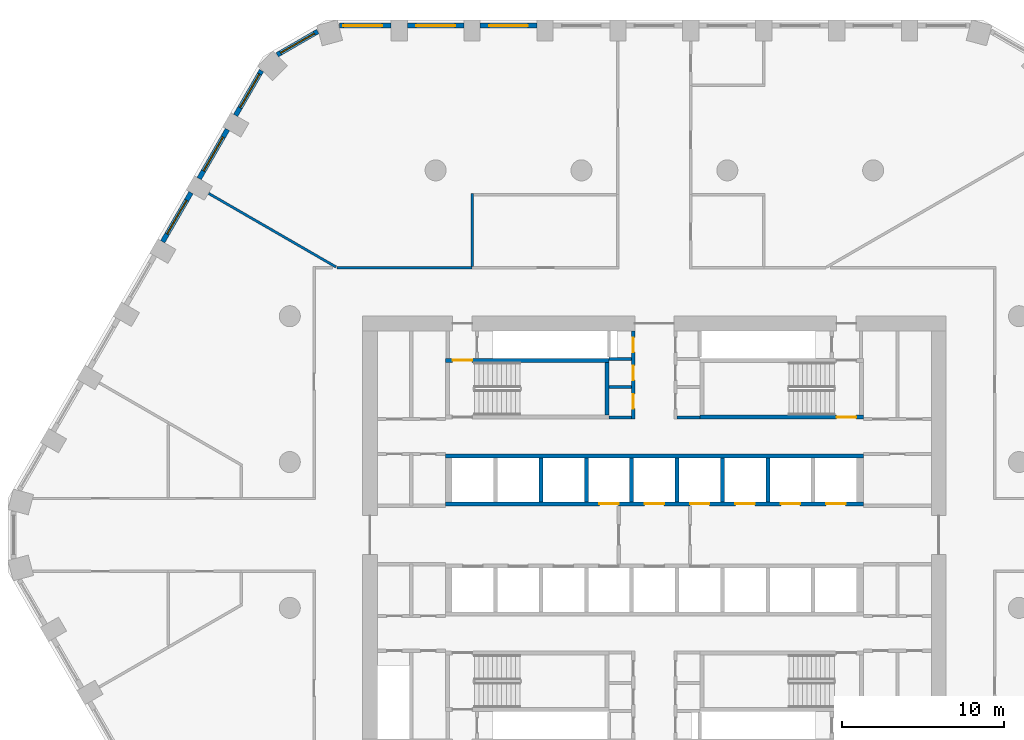
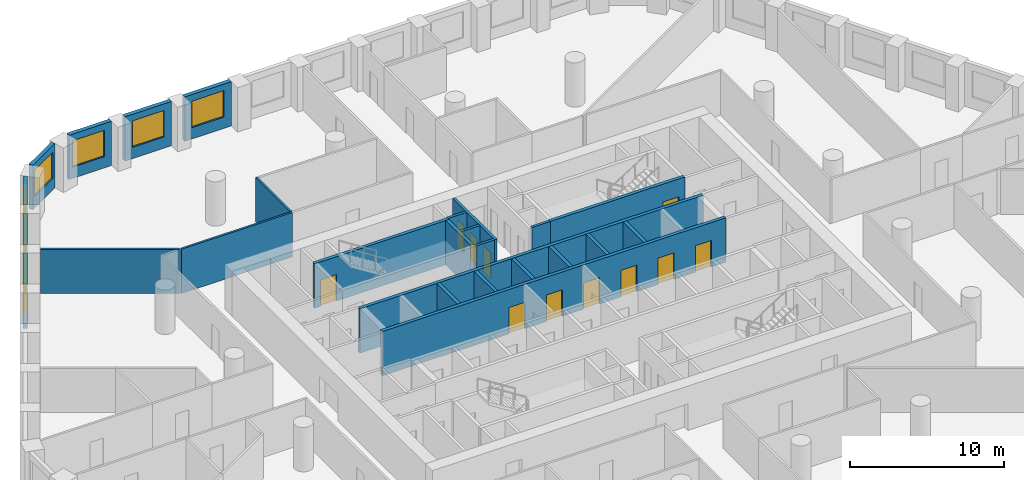
# One storey, part 6 of 10: 26 walls, 11 doors, 7 windows, 18 openings.
"""IFC4 building model written with IfcOpenShell, lengths in metres."""

from ifc_helpers import new_model, si_unit, direction, frame, frame_2d, origin, place, context, subcontext, project, spatial, polyline, rectangle, outline, extrude, material, layer, layer_set, type_object, element, fill, save


model = new_model("IFC4")

# Units and contexts
model_context = context("Model", 3, precision=1e-05, world=origin(), true_north=direction((0.0, 1.0)))
body_context = subcontext(model_context, "Body", "Model", "MODEL_VIEW")
ifc_project = project(units=[si_unit("LENGTHUNIT", "METRE"), si_unit("AREAUNIT", "SQUARE_METRE"), si_unit("VOLUMEUNIT", "CUBIC_METRE"), si_unit("PLANEANGLEUNIT", "RADIAN"), si_unit("MASSUNIT", "GRAM", prefix="KILO")], contexts=[model_context])

# Site, building, storey
site_placement = place(None, origin())
site = spatial("IfcSite", under=ifc_project, at=site_placement, CompositionType="ELEMENT")
building_placement = place(site_placement, origin())
building = spatial("IfcBuilding", under=site, at=building_placement, Name="Dhurran Vertical Campus", CompositionType="ELEMENT")
storey_placement = place(building_placement, frame((0.0, 0.0, 112.5)))
storey = spatial("IfcBuildingStorey", under=building, at=storey_placement, Name="L27", CompositionType="ELEMENT", Elevation=112.5)

# Wall, opening, window
ifc_material_1 = material(Name="Precast concrete C50/60", Category="concrete")
ifc_layer_1 = layer(ifc_material_1, 0.300048828125)
ifc_layer_set_1 = layer_set([ifc_layer_1], Name="Precast concrete C50/60")
wall_type_1 = type_object("IfcWallType", Name="Precast spandrel wall 300", PredefinedType="SOLIDWALL", material=ifc_layer_set_1)
wall_1_placement = place(storey_placement, frame((-7.25048828125, 31.4296875, 0.0), z_axis=(0.0, 0.0, 1.0), x_axis=(-1.0, 0.0, 0.0)))
wall_1 = element("IfcWall", 1, at=wall_1_placement, inside=storey, type_object=wall_type_1, Name="EW1 L27.32", PredefinedType="SOLIDWALL", context=body_context, shape_type="SweptSolid", body=[
    extrude(rectangle(XDim=3.4990234375, YDim=0.300048828125, at=frame_2d((1.74951171875, 0.0))), origin(), (0.0, 0.0, 1.0), 3.52490234375),
])
opening_1_placement = place(wall_1_placement, frame((0.549560546875, 0.0, 0.89990234375)))
opening_1 = element("IfcOpeningElement", 2, at=opening_1_placement, cuts=wall_1, Name="Opening WT1", PredefinedType="OPENING", context=body_context, shape_type="SweptSolid", body=[
    extrude(rectangle(XDim=2.39990234375, YDim=2.10009765625, at=frame_2d((1.199951171875, 1.050048828125))), frame((0.0, 0.159912109375, 0.0), z_axis=(0.0, -1.0, 0.0), x_axis=(1.0, 0.0, 0.0)), (0.0, 0.0, 1.0), 0.320068359375),
])
ifc_material_2 = material(Name="Aluminium frame with solar-control glass", Category="aluminium")
window_type = type_object("IfcWindowType", Name="Punched window 2400 x 2100", PartitioningType="SINGLE_PANEL", PredefinedType="WINDOW", material=ifc_material_2)
window_1_placement = place(opening_1_placement, origin())
window_1 = element("IfcWindow", 3, at=window_1_placement, inside=storey, type_object=window_type, Name="WT1 L27.32", OverallHeight=2.10009765625, OverallWidth=2.39990234375, PartitioningType="SINGLE_PANEL", PredefinedType="WINDOW", context=body_context, shape_type="SweptSolid", body=[
    extrude(rectangle(XDim=2.39990234375, YDim=2.10009765625, at=frame_2d((1.199951171875, 1.050048828125))), frame((0.0, 0.030029296875, 0.0), z_axis=(0.0, -1.0, 0.0), x_axis=(1.0, 0.0, 0.0)), (0.0, 0.0, 1.0), 0.06005859375),
])
fill(opening_1, window_1)

wall_2_placement = place(storey_placement, frame((-11.75048828125, 31.4296875, 0.0), z_axis=(0.0, 0.0, 1.0), x_axis=(-1.0, 0.0, 0.0)))
wall_2 = element("IfcWall", 4, at=wall_2_placement, inside=storey, type_object=wall_type_1, Name="EW1 L27.33", PredefinedType="SOLIDWALL", context=body_context, shape_type="SweptSolid", body=[
    extrude(rectangle(XDim=3.4990234375, YDim=0.300048828125, at=frame_2d((1.74951171875, 0.0))), origin(), (0.0, 0.0, 1.0), 3.52490234375),
])
opening_2_placement = place(wall_2_placement, frame((0.549560546875, 0.0, 0.89990234375)))
opening_2 = element("IfcOpeningElement", 5, at=opening_2_placement, cuts=wall_2, Name="Opening WT1", PredefinedType="OPENING", context=body_context, shape_type="SweptSolid", body=[
    extrude(rectangle(XDim=2.39990234375, YDim=2.10009765625, at=frame_2d((1.199951171875, 1.050048828125))), frame((0.0, 0.159912109375, 0.0), z_axis=(0.0, -1.0, 0.0), x_axis=(1.0, 0.0, 0.0)), (0.0, 0.0, 1.0), 0.320068359375),
])
window_2_placement = place(opening_2_placement, origin())
window_2 = element("IfcWindow", 6, at=window_2_placement, inside=storey, type_object=window_type, Name="WT1 L27.33", OverallHeight=2.10009765625, OverallWidth=2.39990234375, PartitioningType="SINGLE_PANEL", PredefinedType="WINDOW", context=body_context, shape_type="SweptSolid", body=[
    extrude(rectangle(XDim=2.39990234375, YDim=2.10009765625, at=frame_2d((1.199951171875, 1.050048828125))), frame((0.0, 0.030029296875, 0.0), z_axis=(0.0, -1.0, 0.0), x_axis=(1.0, 0.0, 0.0)), (0.0, 0.0, 1.0), 0.06005859375),
])
fill(opening_2, window_2)

wall_3_placement = place(storey_placement, frame((-16.25048828125, 31.4296875, 0.0), z_axis=(0.0, 0.0, 1.0), x_axis=(-1.0, 0.0, 0.0)))
wall_3 = element("IfcWall", 7, at=wall_3_placement, inside=storey, type_object=wall_type_1, Name="EW1 L27.34", PredefinedType="SOLIDWALL", context=body_context, shape_type="SweptSolid", body=[
    extrude(rectangle(XDim=3.1923828125, YDim=0.300048828125, at=frame_2d((1.59619140625, 0.0))), origin(), (0.0, 0.0, 1.0), 3.52490234375),
])
opening_3_placement = place(wall_3_placement, frame((0.549560546875, 0.0, 0.89990234375)))
opening_3 = element("IfcOpeningElement", 8, at=opening_3_placement, cuts=wall_3, Name="Opening WT1", PredefinedType="OPENING", context=body_context, shape_type="SweptSolid", body=[
    extrude(rectangle(XDim=2.39990234375, YDim=2.10009765625, at=frame_2d((1.199951171875, 1.050048828125))), frame((0.0, 0.159912109375, 0.0), z_axis=(0.0, -1.0, 0.0), x_axis=(1.0, 0.0, 0.0)), (0.0, 0.0, 1.0), 0.320068359375),
])
window_3_placement = place(opening_3_placement, origin())
window_3 = element("IfcWindow", 9, at=window_3_placement, inside=storey, type_object=window_type, Name="WT1 L27.34", OverallHeight=2.10009765625, OverallWidth=2.39990234375, PartitioningType="SINGLE_PANEL", PredefinedType="WINDOW", context=body_context, shape_type="SweptSolid", body=[
    extrude(rectangle(XDim=2.39990234375, YDim=2.10009765625, at=frame_2d((1.199951171875, 1.050048828125))), frame((0.0, 0.030029296875, 0.0), z_axis=(0.0, -1.0, 0.0), x_axis=(1.0, 0.0, 0.0)), (0.0, 0.0, 1.0), 0.06005859375),
])
fill(opening_3, window_3)

wall_4_placement = place(storey_placement, frame((-20.774169921875, 31.072998046875, 0.0), z_axis=(0.0, 0.0, 1.0), x_axis=(-0.866053149362, -0.49995194017, 0.0)))
wall_4 = element("IfcWall", 10, at=wall_4_placement, inside=storey, type_object=wall_type_1, Name="EW1 L27.35", PredefinedType="SOLIDWALL", context=body_context, shape_type="SweptSolid", body=[
    extrude(rectangle(XDim=2.885498046875, YDim=0.300048828125, at=frame_2d((1.44287109375, 0.0))), origin(), (0.0, 0.0, 1.0), 3.52490234375),
])
opening_4_placement = place(wall_4_placement, frame((0.242919921875, 0.0, 0.89990234375)))
opening_4 = element("IfcOpeningElement", 11, at=opening_4_placement, cuts=wall_4, Name="Opening WT1", PredefinedType="OPENING", context=body_context, shape_type="SweptSolid", body=[
    extrude(rectangle(XDim=2.39990234375, YDim=2.10009765625, at=frame_2d((1.199951171875, 1.050048828125))), frame((0.0, 0.159912109375, 0.0), z_axis=(0.0, -1.0, 0.0), x_axis=(1.0, 0.0, 0.0)), (0.0, 0.0, 1.0), 0.320068359375),
])
window_4_placement = place(opening_4_placement, origin())
window_4 = element("IfcWindow", 12, at=window_4_placement, inside=storey, type_object=window_type, Name="WT1 L27.35", OverallHeight=2.10009765625, OverallWidth=2.39990234375, PartitioningType="SINGLE_PANEL", PredefinedType="WINDOW", context=body_context, shape_type="SweptSolid", body=[
    extrude(rectangle(XDim=2.39990234375, YDim=2.10009765625, at=frame_2d((1.199951171875, 1.050048828125))), frame((0.0, 0.030029296875, 0.0), z_axis=(0.0, -1.0, 0.0), x_axis=(1.0, 0.0, 0.0)), (0.0, 0.0, 1.0), 0.06005859375),
])
fill(opening_4, window_4)

wall_5_placement = place(storey_placement, frame((-24.24755859375, 28.65576171875, 0.0), z_axis=(0.0, 0.0, 1.0), x_axis=(-0.500004907028, -0.866022570692, 0.0)))
wall_5 = element("IfcWall", 13, at=wall_5_placement, inside=storey, type_object=wall_type_1, Name="EW1 L27.36", PredefinedType="SOLIDWALL", context=body_context, shape_type="SweptSolid", body=[
    extrude(rectangle(XDim=3.1923828125, YDim=0.300048828125, at=frame_2d((1.59619140625, 0.0))), origin(), (0.0, 0.0, 1.0), 3.52490234375),
])
opening_5_placement = place(wall_5_placement, frame((0.242919921875, 0.0, 0.89990234375)))
opening_5 = element("IfcOpeningElement", 14, at=opening_5_placement, cuts=wall_5, Name="Opening WT1", PredefinedType="OPENING", context=body_context, shape_type="SweptSolid", body=[
    extrude(rectangle(XDim=2.39990234375, YDim=2.10009765625, at=frame_2d((1.199951171875, 1.050048828125))), frame((0.0, 0.159912109375, 0.0), z_axis=(0.0, -1.0, 0.0), x_axis=(1.0, 0.0, 0.0)), (0.0, 0.0, 1.0), 0.320068359375),
])
window_5_placement = place(opening_5_placement, origin())
window_5 = element("IfcWindow", 15, at=window_5_placement, inside=storey, type_object=window_type, Name="WT1 L27.36", OverallHeight=2.10009765625, OverallWidth=2.39990234375, PartitioningType="SINGLE_PANEL", PredefinedType="WINDOW", context=body_context, shape_type="SweptSolid", body=[
    extrude(rectangle(XDim=2.39990234375, YDim=2.10009765625, at=frame_2d((1.199951171875, 1.050048828125))), frame((0.0, 0.030029296875, 0.0), z_axis=(0.0, -1.0, 0.0), x_axis=(1.0, 0.0, 0.0)), (0.0, 0.0, 1.0), 0.06005859375),
])
fill(opening_5, window_5)

wall_6_placement = place(storey_placement, frame((-26.34423828125, 25.024169921875, 0.0), z_axis=(0.0, 0.0, 1.0), x_axis=(-0.499996256241, -0.866027565234, 0.0)))
wall_6 = element("IfcWall", 16, at=wall_6_placement, inside=storey, type_object=wall_type_1, Name="EW1 L27.37", PredefinedType="SOLIDWALL", context=body_context, shape_type="SweptSolid", body=[
    extrude(rectangle(XDim=3.4990234375, YDim=0.300048828125, at=frame_2d((1.74951171875, 0.0))), origin(), (0.0, 0.0, 1.0), 3.52490234375),
])
opening_6_placement = place(wall_6_placement, frame((0.549560546875, 0.0, 0.89990234375)))
opening_6 = element("IfcOpeningElement", 17, at=opening_6_placement, cuts=wall_6, Name="Opening WT1", PredefinedType="OPENING", context=body_context, shape_type="SweptSolid", body=[
    extrude(rectangle(XDim=2.39990234375, YDim=2.10009765625, at=frame_2d((1.199951171875, 1.050048828125))), frame((0.0, 0.159912109375, 0.0), z_axis=(0.0, -1.0, 0.0), x_axis=(1.0, 0.0, 0.0)), (0.0, 0.0, 1.0), 0.320068359375),
])
window_6_placement = place(opening_6_placement, origin())
window_6 = element("IfcWindow", 18, at=window_6_placement, inside=storey, type_object=window_type, Name="WT1 L27.37", OverallHeight=2.10009765625, OverallWidth=2.39990234375, PartitioningType="SINGLE_PANEL", PredefinedType="WINDOW", context=body_context, shape_type="SweptSolid", body=[
    extrude(rectangle(XDim=2.39990234375, YDim=2.10009765625, at=frame_2d((1.199951171875, 1.050048828125))), frame((0.0, 0.030029296875, 0.0), z_axis=(0.0, -1.0, 0.0), x_axis=(1.0, 0.0, 0.0)), (0.0, 0.0, 1.0), 0.06005859375),
])
fill(opening_6, window_6)

wall_7_placement = place(storey_placement, frame((-28.59423828125, 21.127197265625, 0.0), z_axis=(0.0, 0.0, 1.0), x_axis=(-0.499996256241, -0.866027565234, 0.0)))
wall_7 = element("IfcWall", 19, at=wall_7_placement, inside=storey, type_object=wall_type_1, Name="EW1 L27.38", PredefinedType="SOLIDWALL", context=body_context, shape_type="SweptSolid", body=[
    extrude(rectangle(XDim=3.4990234375, YDim=0.300048828125, at=frame_2d((1.74951171875, 0.0))), origin(), (0.0, 0.0, 1.0), 3.52490234375),
])
opening_7_placement = place(wall_7_placement, frame((0.549560546875, 0.0, 0.89990234375)))
opening_7 = element("IfcOpeningElement", 20, at=opening_7_placement, cuts=wall_7, Name="Opening WT1", PredefinedType="OPENING", context=body_context, shape_type="SweptSolid", body=[
    extrude(rectangle(XDim=2.39990234375, YDim=2.10009765625, at=frame_2d((1.199951171875, 1.050048828125))), frame((0.0, 0.159912109375, 0.0), z_axis=(0.0, -1.0, 0.0), x_axis=(1.0, 0.0, 0.0)), (0.0, 0.0, 1.0), 0.320068359375),
])
window_7_placement = place(opening_7_placement, origin())
window_7 = element("IfcWindow", 21, at=window_7_placement, inside=storey, type_object=window_type, Name="WT1 L27.38", OverallHeight=2.10009765625, OverallWidth=2.39990234375, PartitioningType="SINGLE_PANEL", PredefinedType="WINDOW", context=body_context, shape_type="SweptSolid", body=[
    extrude(rectangle(XDim=2.39990234375, YDim=2.10009765625, at=frame_2d((1.199951171875, 1.050048828125))), frame((0.0, 0.030029296875, 0.0), z_axis=(0.0, -1.0, 0.0), x_axis=(1.0, 0.0, 0.0)), (0.0, 0.0, 1.0), 0.06005859375),
])
fill(opening_7, window_7)

# Walls
ifc_material_3 = material(Name="Fire-rated masonry blockwork", Category="masonry")
ifc_layer_2 = layer(ifc_material_3, 0.199951171875)
ifc_layer_set_2 = layer_set([ifc_layer_2], Name="Fire-rated masonry blockwork")
wall_type_2 = type_object("IfcWallType", Name="co-FIRE-PARTITION-200", PredefinedType="PARTITIONING", material=ifc_layer_set_2)
for number, where, z_axis, x_axis, name in (
    (22, (-2.800048828125, 7.25, 0.0), (0.0, 0.0, 1.0), (1.0, 0.0, 0.0), "Core partition sl-NW-S L27"),
    (23, (-2.800048828125, 9.135009765625, 0.0), (0.0, 0.0, 1.0), (1.0, 0.0, 0.0), "Core partition sl-NW-cut0 L27"),
    (24, (-2.800048828125, 10.867431640625, 0.0), (0.0, 0.0, 1.0), (1.0, 0.0, 0.0), "Core partition sl-NW-cut1 L27"),
    (25, (1.39990234375, 7.25, 0.0), (0.0, 0.0, 1.0), (1.0, 0.0, 0.0), "Core partition sl-NE-S L27"),
):
    element("IfcWall", number, at=place(storey_placement, frame(where, z_axis=z_axis, x_axis=x_axis)), inside=storey, type_object=wall_type_2, Name=name, PredefinedType="PARTITIONING", context=body_context, shape_type="SweptSolid", body=[
        extrude(rectangle(XDim=1.400146484375, YDim=0.199951171875, at=frame_2d((0.7001953125, 0.0))), origin(), (0.0, 0.0, 1.0), 3.52490234375),
    ])

# Wall, openings, doors
wall_8_placement = place(storey_placement, frame((-1.300048828125, 7.14990234375, 0.0), z_axis=(0.0, 0.0, 1.0), x_axis=(0.0, 1.0, 0.0)))
wall_8 = element("IfcWall", 26, at=wall_8_placement, inside=storey, type_object=wall_type_2, Name="Core partition vest-NW L27", PredefinedType="PARTITIONING", context=body_context, shape_type="SweptSolid", body=[
    extrude(rectangle(XDim=5.4501953125, YDim=0.199951171875, at=frame_2d((2.72509765625, 0.0))), origin(), (0.0, 0.0, 1.0), 3.52490234375),
])
opening_8_placement = place(wall_8_placement, frame((0.642578125, 0.0, 0.0)))
opening_8 = element("IfcOpeningElement", 27, at=opening_8_placement, cuts=wall_8, Name="Opening T07-C7", PredefinedType="OPENING", context=body_context, shape_type="SweptSolid", body=[
    extrude(rectangle(XDim=0.89990234375, YDim=2.10009765625, at=frame_2d((0.449951171875, 1.050048828125))), frame((0.0, 0.10986328125, 0.0), z_axis=(0.0, -1.0, 0.0), x_axis=(1.0, 0.0, 0.0)), (0.0, 0.0, 1.0), 0.219970703125),
])
opening_9_placement = place(wall_8_placement, frame((2.401123046875, 0.0, 0.0)))
opening_9 = element("IfcOpeningElement", 28, at=opening_9_placement, cuts=wall_8, Name="Opening T07-C8", PredefinedType="OPENING", context=body_context, shape_type="SweptSolid", body=[
    extrude(rectangle(XDim=0.89990234375, YDim=2.10009765625, at=frame_2d((0.449951171875, 1.050048828125))), frame((0.0, 0.10986328125, 0.0), z_axis=(0.0, -1.0, 0.0), x_axis=(1.0, 0.0, 0.0)), (0.0, 0.0, 1.0), 0.219970703125),
])
opening_10_placement = place(wall_8_placement, frame((4.1337890625, 0.0, 0.0)))
opening_10 = element("IfcOpeningElement", 29, at=opening_10_placement, cuts=wall_8, Name="Opening T07-C9", PredefinedType="OPENING", context=body_context, shape_type="SweptSolid", body=[
    extrude(rectangle(XDim=0.89990234375, YDim=2.10009765625, at=frame_2d((0.449951171875, 1.050048828125))), frame((0.0, 0.10986328125, 0.0), z_axis=(0.0, -1.0, 0.0), x_axis=(1.0, 0.0, 0.0)), (0.0, 0.0, 1.0), 0.219970703125),
])
ifc_material_4 = material(Name="Fire-rated timber door set", Category="wood")
door_type_1 = type_object("IfcDoorType", Name="co-D-ROOM 900x2100", OperationType="SINGLE_SWING_LEFT", PredefinedType="DOOR", material=ifc_material_4)
door_1_placement = place(opening_8_placement, origin())
door_1 = element("IfcDoor", 30, at=door_1_placement, inside=storey, type_object=door_type_1, Name="Plant room door L27", OperationType="SINGLE_SWING_LEFT", OverallHeight=2.10009765625, OverallWidth=0.89990234375, PredefinedType="DOOR", context=body_context, shape_type="SweptSolid", body=[
    extrude(rectangle(XDim=0.89990234375, YDim=2.10009765625, at=frame_2d((0.449951171875, 1.050048828125))), frame((0.0, 0.02490234375, 0.0), z_axis=(0.0, -1.0, 0.0), x_axis=(1.0, 0.0, 0.0)), (0.0, 0.0, 1.0), 0.050048828125),
])
fill(opening_8, door_1)
door_2_placement = place(opening_9_placement, origin())
door_2 = element("IfcDoor", 31, at=door_2_placement, inside=storey, type_object=door_type_1, Name="Communications room door L27", OperationType="SINGLE_SWING_LEFT", OverallHeight=2.10009765625, OverallWidth=0.89990234375, PredefinedType="DOOR", context=body_context, shape_type="SweptSolid", body=[
    extrude(rectangle(XDim=0.89990234375, YDim=2.10009765625, at=frame_2d((0.449951171875, 1.050048828125))), frame((0.0, 0.02490234375, 0.0), z_axis=(0.0, -1.0, 0.0), x_axis=(1.0, 0.0, 0.0)), (0.0, 0.0, 1.0), 0.050048828125),
])
fill(opening_9, door_2)
door_3_placement = place(opening_10_placement, origin())
door_3 = element("IfcDoor", 32, at=door_3_placement, inside=storey, type_object=door_type_1, Name="Water riser door L27", OperationType="SINGLE_SWING_LEFT", OverallHeight=2.10009765625, OverallWidth=0.89990234375, PredefinedType="DOOR", context=body_context, shape_type="SweptSolid", body=[
    extrude(rectangle(XDim=0.89990234375, YDim=2.10009765625, at=frame_2d((0.449951171875, 1.050048828125))), frame((0.0, 0.02490234375, 0.0), z_axis=(0.0, -1.0, 0.0), x_axis=(1.0, 0.0, 0.0)), (0.0, 0.0, 1.0), 0.050048828125),
])
fill(opening_10, door_3)

ifc_material_5 = material(Name="Concrete C50/60", Category="concrete")
ifc_layer_3 = layer(ifc_material_5, 0.25)
ifc_layer_set_3 = layer_set([ifc_layer_3], Name="Concrete C50/60")
wall_type_3 = type_object("IfcWallType", Name="co-SHAFT-FRONT-250", PredefinedType="SHEAR", material=ifc_layer_set_3)
wall_9_placement = place(storey_placement, frame((-12.89990234375, 1.925048828125, 0.0), z_axis=(0.0, 0.0, 1.0), x_axis=(1.0, 0.0, 0.0)))
wall_9 = element("IfcWall", 33, at=wall_9_placement, inside=storey, type_object=wall_type_3, Name="Lift landing wall N L27", PredefinedType="SHEAR", context=body_context, shape_type="SweptSolid", body=[
    extrude(rectangle(XDim=25.7998046875, YDim=0.25, at=frame_2d((12.89990234375, 0.0))), origin(), (0.0, 0.0, 1.0), 3.52490234375),
])
opening_11_placement = place(wall_9_placement, frame((9.5, 0.0, 0.0)))
opening_11 = element("IfcOpeningElement", 34, at=opening_11_placement, cuts=wall_9, Name="Opening LD", PredefinedType="OPENING", context=body_context, shape_type="SweptSolid", body=[
    extrude(rectangle(XDim=1.199951171875, YDim=2.10009765625, at=frame_2d((0.60009765625, 1.050048828125))), frame((0.0, 0.135009765625, 0.0), z_axis=(0.0, -1.0, 0.0), x_axis=(1.0, 0.0, 0.0)), (0.0, 0.0, 1.0), 0.27001953125),
])
opening_12_placement = place(wall_9_placement, frame((12.300048828125, 0.0, 0.0)))
opening_12 = element("IfcOpeningElement", 35, at=opening_12_placement, cuts=wall_9, Name="Opening LD", PredefinedType="OPENING", context=body_context, shape_type="SweptSolid", body=[
    extrude(rectangle(XDim=1.199951171875, YDim=2.10009765625, at=frame_2d((0.60009765625, 1.050048828125))), frame((0.0, 0.135009765625, 0.0), z_axis=(0.0, -1.0, 0.0), x_axis=(1.0, 0.0, 0.0)), (0.0, 0.0, 1.0), 0.27001953125),
])
opening_13_placement = place(wall_9_placement, frame((15.10009765625, 0.0, 0.0)))
opening_13 = element("IfcOpeningElement", 36, at=opening_13_placement, cuts=wall_9, Name="Opening LD", PredefinedType="OPENING", context=body_context, shape_type="SweptSolid", body=[
    extrude(rectangle(XDim=1.199951171875, YDim=2.10009765625, at=frame_2d((0.60009765625, 1.050048828125))), frame((0.0, 0.135009765625, 0.0), z_axis=(0.0, -1.0, 0.0), x_axis=(1.0, 0.0, 0.0)), (0.0, 0.0, 1.0), 0.27001953125),
])
opening_14_placement = place(wall_9_placement, frame((17.89990234375, 0.0, 0.0)))
opening_14 = element("IfcOpeningElement", 37, at=opening_14_placement, cuts=wall_9, Name="Opening LD", PredefinedType="OPENING", context=body_context, shape_type="SweptSolid", body=[
    extrude(rectangle(XDim=1.199951171875, YDim=2.10009765625, at=frame_2d((0.60009765625, 1.050048828125))), frame((0.0, 0.135009765625, 0.0), z_axis=(0.0, -1.0, 0.0), x_axis=(1.0, 0.0, 0.0)), (0.0, 0.0, 1.0), 0.27001953125),
])
opening_15_placement = place(wall_9_placement, frame((20.699951171875, 0.0, 0.0)))
opening_15 = element("IfcOpeningElement", 38, at=opening_15_placement, cuts=wall_9, Name="Opening LD", PredefinedType="OPENING", context=body_context, shape_type="SweptSolid", body=[
    extrude(rectangle(XDim=1.199951171875, YDim=2.10009765625, at=frame_2d((0.60009765625, 1.050048828125))), frame((0.0, 0.135009765625, 0.0), z_axis=(0.0, -1.0, 0.0), x_axis=(1.0, 0.0, 0.0)), (0.0, 0.0, 1.0), 0.27001953125),
])
opening_16_placement = place(wall_9_placement, frame((23.5, 0.0, 0.0)))
opening_16 = element("IfcOpeningElement", 39, at=opening_16_placement, cuts=wall_9, Name="Opening LD", PredefinedType="OPENING", context=body_context, shape_type="SweptSolid", body=[
    extrude(rectangle(XDim=1.199951171875, YDim=2.10009765625, at=frame_2d((0.60009765625, 1.050048828125))), frame((0.0, 0.135009765625, 0.0), z_axis=(0.0, -1.0, 0.0), x_axis=(1.0, 0.0, 0.0)), (0.0, 0.0, 1.0), 0.27001953125),
])
ifc_material_6 = material(Name="Stainless steel landing door", Category="steel")
door_type_2 = type_object("IfcDoorType", Name="co-D-LANDING 1200x2100", OperationType="DOUBLE_DOOR_SLIDING", PredefinedType="DOOR", material=ifc_material_6)
door_4_placement = place(opening_11_placement, origin())
door_4 = element("IfcDoor", 40, at=door_4_placement, inside=storey, type_object=door_type_2, Name="Landing door LR1 L27", OperationType="DOUBLE_DOOR_SLIDING", OverallHeight=2.10009765625, OverallWidth=1.199951171875, PredefinedType="DOOR", context=body_context, shape_type="SweptSolid", body=[
    extrude(rectangle(XDim=1.199951171875, YDim=2.10009765625, at=frame_2d((0.60009765625, 1.050048828125))), frame((0.0, 0.02490234375, 0.0), z_axis=(0.0, -1.0, 0.0), x_axis=(1.0, 0.0, 0.0)), (0.0, 0.0, 1.0), 0.050048828125),
])
fill(opening_11, door_4)
door_5_placement = place(opening_12_placement, origin())
door_5 = element("IfcDoor", 41, at=door_5_placement, inside=storey, type_object=door_type_2, Name="Landing door FF1 L27", OperationType="DOUBLE_DOOR_SLIDING", OverallHeight=2.10009765625, OverallWidth=1.199951171875, PredefinedType="DOOR", context=body_context, shape_type="SweptSolid", body=[
    extrude(rectangle(XDim=1.199951171875, YDim=2.10009765625, at=frame_2d((0.60009765625, 1.050048828125))), frame((0.0, 0.02490234375, 0.0), z_axis=(0.0, -1.0, 0.0), x_axis=(1.0, 0.0, 0.0)), (0.0, 0.0, 1.0), 0.050048828125),
])
fill(opening_12, door_5)
door_6_placement = place(opening_13_placement, origin())
door_6 = element("IfcDoor", 42, at=door_6_placement, inside=storey, type_object=door_type_2, Name="Landing door LR2 L27", OperationType="DOUBLE_DOOR_SLIDING", OverallHeight=2.10009765625, OverallWidth=1.199951171875, PredefinedType="DOOR", context=body_context, shape_type="SweptSolid", body=[
    extrude(rectangle(XDim=1.199951171875, YDim=2.10009765625, at=frame_2d((0.60009765625, 1.050048828125))), frame((0.0, 0.02490234375, 0.0), z_axis=(0.0, -1.0, 0.0), x_axis=(1.0, 0.0, 0.0)), (0.0, 0.0, 1.0), 0.050048828125),
])
fill(opening_13, door_6)
door_7_placement = place(opening_14_placement, origin())
door_7 = element("IfcDoor", 43, at=door_7_placement, inside=storey, type_object=door_type_2, Name="Landing door LR3 L27", OperationType="DOUBLE_DOOR_SLIDING", OverallHeight=2.10009765625, OverallWidth=1.199951171875, PredefinedType="DOOR", context=body_context, shape_type="SweptSolid", body=[
    extrude(rectangle(XDim=1.199951171875, YDim=2.10009765625, at=frame_2d((0.60009765625, 1.050048828125))), frame((0.0, 0.02490234375, 0.0), z_axis=(0.0, -1.0, 0.0), x_axis=(1.0, 0.0, 0.0)), (0.0, 0.0, 1.0), 0.050048828125),
])
fill(opening_14, door_7)
door_8_placement = place(opening_15_placement, origin())
door_8 = element("IfcDoor", 44, at=door_8_placement, inside=storey, type_object=door_type_2, Name="Landing door LR4 L27", OperationType="DOUBLE_DOOR_SLIDING", OverallHeight=2.10009765625, OverallWidth=1.199951171875, PredefinedType="DOOR", context=body_context, shape_type="SweptSolid", body=[
    extrude(rectangle(XDim=1.199951171875, YDim=2.10009765625, at=frame_2d((0.60009765625, 1.050048828125))), frame((0.0, 0.02490234375, 0.0), z_axis=(0.0, -1.0, 0.0), x_axis=(1.0, 0.0, 0.0)), (0.0, 0.0, 1.0), 0.050048828125),
])
fill(opening_15, door_8)
door_9_placement = place(opening_16_placement, origin())
door_9 = element("IfcDoor", 45, at=door_9_placement, inside=storey, type_object=door_type_2, Name="Landing door SV2 L27", OperationType="DOUBLE_DOOR_SLIDING", OverallHeight=2.10009765625, OverallWidth=1.199951171875, PredefinedType="DOOR", context=body_context, shape_type="SweptSolid", body=[
    extrude(rectangle(XDim=1.199951171875, YDim=2.10009765625, at=frame_2d((0.60009765625, 1.050048828125))), frame((0.0, 0.02490234375, 0.0), z_axis=(0.0, -1.0, 0.0), x_axis=(1.0, 0.0, 0.0)), (0.0, 0.0, 1.0), 0.050048828125),
])
fill(opening_16, door_9)

# Walls
ifc_material_7 = material(Name="Concrete C50/60", Category="concrete")
ifc_layer_4 = layer(ifc_material_7, 0.25)
ifc_layer_set_4 = layer_set([ifc_layer_4], Name="Concrete C50/60")
wall_type_4 = type_object("IfcWallType", Name="co-SHAFT-MASS-250", PredefinedType="SHEAR", material=ifc_layer_set_4)
wall_10_placement = place(storey_placement, origin())
element("IfcWall", 46, at=wall_10_placement, inside=storey, type_object=wall_type_4, Name="Lift shaft wall N L27 1", PredefinedType="SHEAR", context=body_context, shape_type="SweptSolid", body=[
    extrude(outline(polyline([(-12.89990234375, 4.75), (12.89990234375, 4.75), (12.89990234375, 5.0), (-12.89990234375, 5.0), (-12.89990234375, 4.75)])), origin(), (0.0, 0.0, 1.0), 3.52490234375),
])
wall_11_placement = place(storey_placement, origin())
element("IfcWall", 47, at=wall_11_placement, inside=storey, type_object=wall_type_4, Name="Lift shaft wall N L27 4", PredefinedType="SHEAR", context=body_context, shape_type="SweptSolid", body=[
    extrude(outline(polyline([(-7.125, 2.050048828125), (-6.875, 2.050048828125), (-6.875, 4.75), (-7.125, 4.75), (-7.125, 2.050048828125)])), origin(), (0.0, 0.0, 1.0), 3.52490234375),
])
wall_12_placement = place(storey_placement, origin())
element("IfcWall", 48, at=wall_12_placement, inside=storey, type_object=wall_type_4, Name="Lift shaft wall N L27 5", PredefinedType="SHEAR", context=body_context, shape_type="SweptSolid", body=[
    extrude(outline(polyline([(-4.324951171875, 2.050048828125), (-4.074951171875, 2.050048828125), (-4.074951171875, 4.75), (-4.324951171875, 4.75), (-4.324951171875, 2.050048828125)])), origin(), (0.0, 0.0, 1.0), 3.52490234375),
])
wall_13_placement = place(storey_placement, origin())
element("IfcWall", 49, at=wall_13_placement, inside=storey, type_object=wall_type_4, Name="Lift shaft wall N L27 6", PredefinedType="SHEAR", context=body_context, shape_type="SweptSolid", body=[
    extrude(outline(polyline([(-1.52490234375, 2.050048828125), (-1.27490234375, 2.050048828125), (-1.27490234375, 4.75), (-1.52490234375, 4.75), (-1.52490234375, 2.050048828125)])), origin(), (0.0, 0.0, 1.0), 3.52490234375),
])
wall_14_placement = place(storey_placement, origin())
element("IfcWall", 50, at=wall_14_placement, inside=storey, type_object=wall_type_4, Name="Lift shaft wall N L27 7", PredefinedType="SHEAR", context=body_context, shape_type="SweptSolid", body=[
    extrude(outline(polyline([(1.27490234375, 2.050048828125), (1.52490234375, 2.050048828125), (1.52490234375, 4.75), (1.27490234375, 4.75), (1.27490234375, 2.050048828125)])), origin(), (0.0, 0.0, 1.0), 3.52490234375),
])
wall_15_placement = place(storey_placement, origin())
element("IfcWall", 51, at=wall_15_placement, inside=storey, type_object=wall_type_4, Name="Lift shaft wall N L27 8", PredefinedType="SHEAR", context=body_context, shape_type="SweptSolid", body=[
    extrude(outline(polyline([(4.074951171875, 2.050048828125), (4.324951171875, 2.050048828125), (4.324951171875, 4.75), (4.074951171875, 4.75), (4.074951171875, 2.050048828125)])), origin(), (0.0, 0.0, 1.0), 3.52490234375),
])
wall_16_placement = place(storey_placement, origin())
element("IfcWall", 52, at=wall_16_placement, inside=storey, type_object=wall_type_4, Name="Lift shaft wall N L27 9", PredefinedType="SHEAR", context=body_context, shape_type="SweptSolid", body=[
    extrude(outline(polyline([(6.875, 2.050048828125), (7.125, 2.050048828125), (7.125, 4.75), (6.875, 4.75), (6.875, 2.050048828125)])), origin(), (0.0, 0.0, 1.0), 3.52490234375),
])

# Wall, opening, door
ifc_material_8 = material(Name="Concrete C40/50", Category="concrete")
ifc_layer_5 = layer(ifc_material_8, 0.25)
ifc_layer_set_5 = layer_set([ifc_layer_5], Name="Concrete C40/50")
wall_type_5 = type_object("IfcWallType", Name="co-STAIR-WALL-250", PredefinedType="SHEAR", material=ifc_layer_set_5)
wall_17_placement = place(storey_placement, frame((-12.89990234375, 10.77490234375, 0.0), z_axis=(0.0, 0.0, 1.0), x_axis=(1.0, 0.0, 0.0)))
wall_17 = element("IfcWall", 53, at=wall_17_placement, inside=storey, type_object=wall_type_5, Name="Stair ST1 enclosure wall L27", PredefinedType="SHEAR", context=body_context, shape_type="SweptSolid", body=[
    extrude(rectangle(XDim=10.099853515625, YDim=0.25, at=frame_2d((5.0498046875, 0.0))), origin(), (0.0, 0.0, 1.0), 3.52490234375),
])
opening_17_placement = place(wall_17_placement, frame((0.449951171875, 0.0, 0.0)))
opening_17 = element("IfcOpeningElement", 54, at=opening_17_placement, cuts=wall_17, Name="Opening XS1", PredefinedType="OPENING", context=body_context, shape_type="SweptSolid", body=[
    extrude(rectangle(XDim=1.199951171875, YDim=2.10009765625, at=frame_2d((0.60009765625, 1.050048828125))), frame((0.0, 0.135009765625, 0.0), z_axis=(0.0, -1.0, 0.0), x_axis=(1.0, 0.0, 0.0)), (0.0, 0.0, 1.0), 0.27001953125),
])
ifc_material_9 = material(Name="Fire-rated steel door set", Category="steel")
door_type_3 = type_object("IfcDoorType", Name="co-D-STAIR-EXIT 1200x2100", OperationType="SINGLE_SWING_RIGHT", PredefinedType="DOOR", material=ifc_material_9)
door_10_placement = place(opening_17_placement, origin())
door_10 = element("IfcDoor", 55, at=door_10_placement, inside=storey, type_object=door_type_3, Name="Stair ST1 discharge door L27", OperationType="SINGLE_SWING_RIGHT", OverallHeight=2.10009765625, OverallWidth=1.199951171875, PredefinedType="DOOR", context=body_context, shape_type="SweptSolid", body=[
    extrude(rectangle(XDim=1.199951171875, YDim=2.10009765625, at=frame_2d((0.60009765625, 1.050048828125))), frame((0.0, 0.02490234375, 0.0), z_axis=(0.0, -1.0, 0.0), x_axis=(1.0, 0.0, 0.0)), (0.0, 0.0, 1.0), 0.050048828125),
])
fill(opening_17, door_10)

# Wall
wall_18_placement = place(storey_placement, frame((-2.925048828125, 7.39990234375, 0.0), z_axis=(0.0, 0.0, 1.0), x_axis=(0.0, 1.0, 0.0)))
element("IfcWall", 56, at=wall_18_placement, inside=storey, type_object=wall_type_5, Name="Stair ST1 enclosure wall L27", PredefinedType="SHEAR", context=body_context, shape_type="SweptSolid", body=[
    extrude(rectangle(XDim=3.25, YDim=0.25, at=frame_2d((1.625, 0.0))), origin(), (0.0, 0.0, 1.0), 3.52490234375),
])

# Wall, opening, door
wall_19_placement = place(storey_placement, frame((2.800048828125, 7.27490234375, 0.0), z_axis=(0.0, 0.0, 1.0), x_axis=(1.0, 0.0, 0.0)))
wall_19 = element("IfcWall", 57, at=wall_19_placement, inside=storey, type_object=wall_type_5, Name="Stair ST2 enclosure wall L27", PredefinedType="SHEAR", context=body_context, shape_type="SweptSolid", body=[
    extrude(rectangle(XDim=10.099853515625, YDim=0.25, at=frame_2d((5.0498046875, 0.0))), origin(), (0.0, 0.0, 1.0), 3.52490234375),
])
opening_18_placement = place(wall_19_placement, frame((8.449951171875, 0.0, 0.0)))
opening_18 = element("IfcOpeningElement", 58, at=opening_18_placement, cuts=wall_19, Name="Opening SD2", PredefinedType="OPENING", context=body_context, shape_type="SweptSolid", body=[
    extrude(rectangle(XDim=1.199951171875, YDim=2.10009765625, at=frame_2d((0.60009765625, 1.050048828125))), frame((0.0, 0.135009765625, 0.0), z_axis=(0.0, -1.0, 0.0), x_axis=(1.0, 0.0, 0.0)), (0.0, 0.0, 1.0), 0.27001953125),
])
ifc_material_10 = material(Name="Fire-rated steel door set", Category="steel")
door_type_4 = type_object("IfcDoorType", Name="co-D-STAIR 1200x2100", OperationType="SINGLE_SWING_LEFT", PredefinedType="DOOR", material=ifc_material_10)
door_11_placement = place(opening_18_placement, origin())
door_11 = element("IfcDoor", 59, at=door_11_placement, inside=storey, type_object=door_type_4, Name="Stair ST2 door L27", OperationType="SINGLE_SWING_LEFT", OverallHeight=2.10009765625, OverallWidth=1.199951171875, PredefinedType="DOOR", context=body_context, shape_type="SweptSolid", body=[
    extrude(rectangle(XDim=1.199951171875, YDim=2.10009765625, at=frame_2d((0.60009765625, 1.050048828125))), frame((0.0, 0.02490234375, 0.0), z_axis=(0.0, -1.0, 0.0), x_axis=(1.0, 0.0, 0.0)), (0.0, 0.0, 1.0), 0.050048828125),
])
fill(opening_18, door_11)

# Walls
ifc_material_11 = material(Name="Gypsum board corridor wall on steel studs", Category="steel")
ifc_layer_6 = layer(ifc_material_11, 0.14990234375)
ifc_layer_set_6 = layer_set([ifc_layer_6], Name="Gypsum board corridor wall on steel studs")
wall_type_6 = type_object("IfcWallType", Name="fl-CW-150 corridor wall", PredefinedType="PARTITIONING", material=ifc_layer_set_6)
wall_20_placement = place(storey_placement, frame((-11.25, 16.5, 0.0), z_axis=(0.0, 0.0, 1.0), x_axis=(-1.0, 0.0, 0.0)))
element("IfcWall", 60, at=wall_20_placement, inside=storey, type_object=wall_type_6, Name="Partition 27-22", PredefinedType="PARTITIONING", context=body_context, shape_type="SweptSolid", body=[
    extrude(rectangle(XDim=8.3291015625, YDim=0.14990234375, at=frame_2d((4.16455078125, 0.0))), origin(), (0.0, 0.0, 1.0), 3.52490234375),
])
ifc_material_12 = material(Name="Gypsum board partition on steel studs", Category="steel")
ifc_layer_7 = layer(ifc_material_12, 0.14990234375)
ifc_layer_set_7 = layer_set([ifc_layer_7], Name="Gypsum board partition on steel studs")
wall_type_7 = type_object("IfcWallType", Name="fl-PW-150 fixed partition", PredefinedType="PARTITIONING", material=ifc_layer_set_7)
wall_21_placement = place(storey_placement, frame((-27.503662109375, 21.075927734375, 0.0), z_axis=(0.0, 0.0, 1.0), x_axis=(0.866004606565, -0.500036020111, 0.0)))
element("IfcWall", 61, at=wall_21_placement, inside=storey, type_object=wall_type_7, Name="Partition 27-12", PredefinedType="PARTITIONING", context=body_context, shape_type="SweptSolid", body=[
    extrude(rectangle(XDim=9.075927734375, YDim=0.14990234375, at=frame_2d((4.5380859375, 0.0))), origin(), (0.0, 0.0, 1.0), 3.52490234375),
])
wall_22_placement = place(storey_placement, frame((-11.25, 21.074951171875, 0.0), z_axis=(0.0, 0.0, 1.0), x_axis=(0.0, -1.0, 0.0)))
element("IfcWall", 62, at=wall_22_placement, inside=storey, type_object=wall_type_7, Name="Partition 27-26", PredefinedType="PARTITIONING", context=body_context, shape_type="SweptSolid", body=[
    extrude(rectangle(XDim=4.5, YDim=0.14990234375, at=frame_2d((2.25, 0.0))), origin(), (0.0, 0.0, 1.0), 3.52490234375),
])

save(model, "model.ifc")
